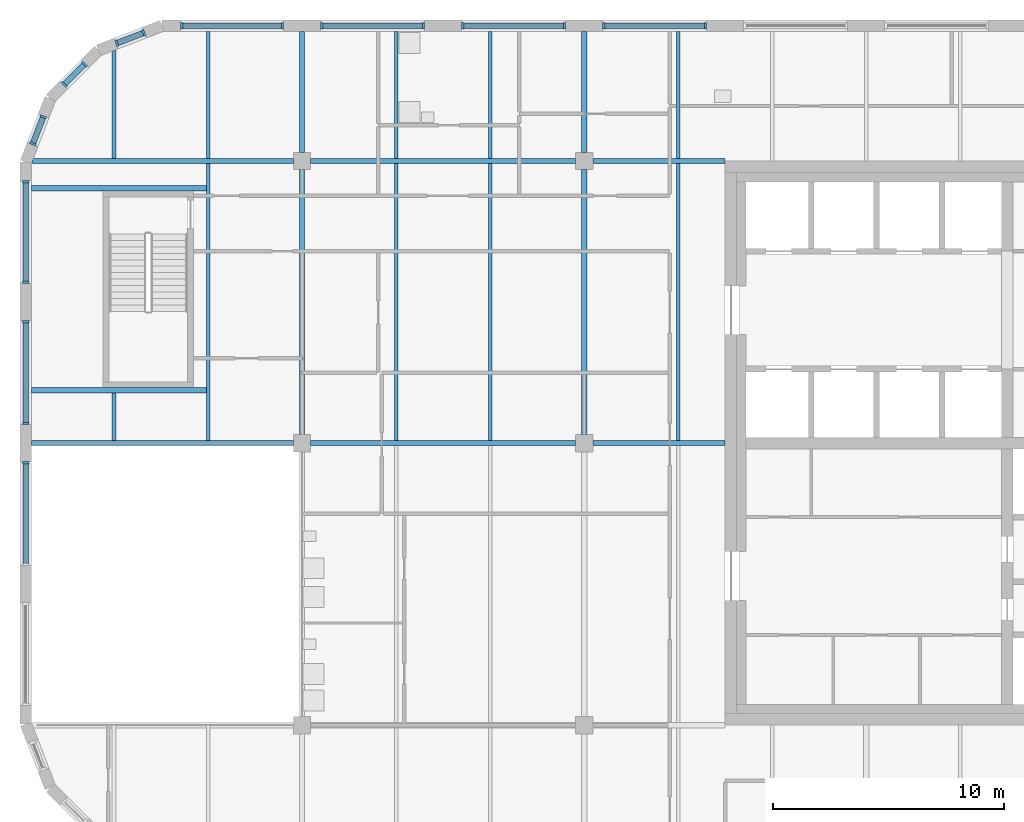
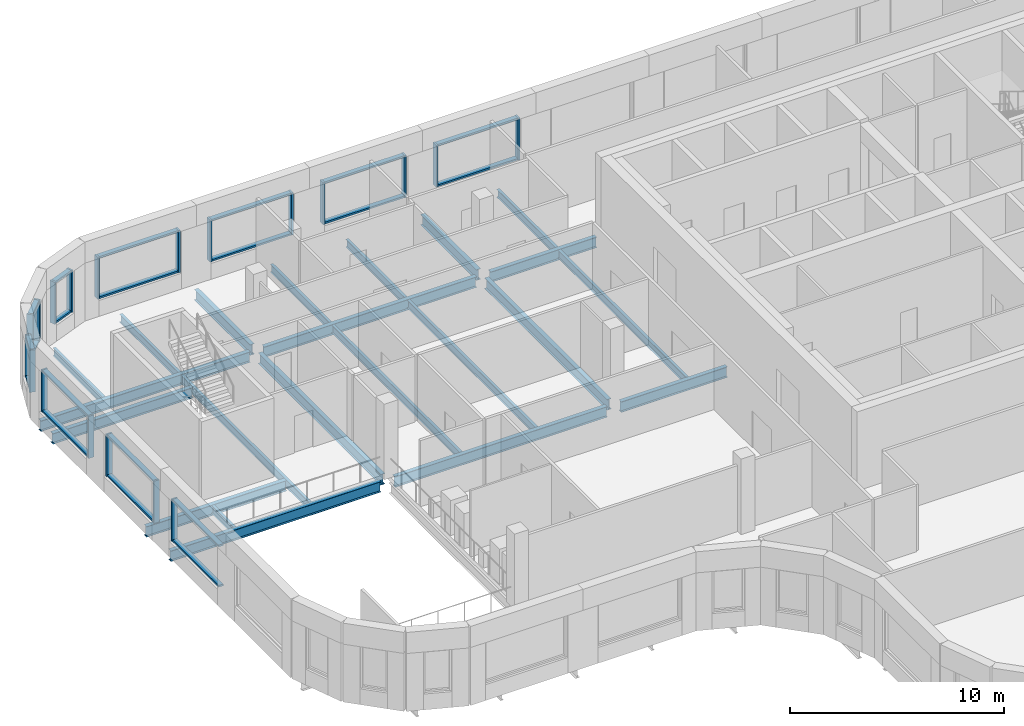
# One storey, part 4 of 21: 39 members, 22 beams, 10 elements without a shape of their own.
"""IFC4 building model written with IfcOpenShell, lengths in metres."""

from ifc_helpers import new_model, si_unit, direction, frame, origin, origin_2d, place, context, subcontext, project, spatial, rectangle, i_section, extrude, material, material_profile, profile_set, type_object, element, aggregate, save


model = new_model("IFC4")

# Units and contexts
model_context = context("Model", 3, precision=1e-05, world=origin(), true_north=direction((0.0, 1.0)))
body_context = subcontext(model_context, "Body", "Model", "MODEL_VIEW")
ifc_project = project(units=[si_unit("LENGTHUNIT", "METRE"), si_unit("AREAUNIT", "SQUARE_METRE"), si_unit("VOLUMEUNIT", "CUBIC_METRE"), si_unit("PLANEANGLEUNIT", "RADIAN"), si_unit("MASSUNIT", "GRAM", prefix="KILO")], contexts=[model_context])

# Site, building, storey
site_placement = place(None, origin())
site = spatial("IfcSite", under=ifc_project, at=site_placement, CompositionType="ELEMENT")
building_placement = place(site_placement, origin())
building = spatial("IfcBuilding", under=site, at=building_placement, Name="Tessera Gate Towers", CompositionType="ELEMENT")
storey_placement = place(building_placement, frame((0.0, 0.0, 193.39990234375)))
storey = spatial("IfcBuildingStorey", under=building, at=storey_placement, Name="L48", CompositionType="ELEMENT", Elevation=193.39990234375)

# Beams
ifc_material_1 = material(Name="Steel 350W", Category="steel")
ifc_material_profile_1 = material_profile(ifc_material_1, i_section(OverallWidth=0.22802734375, OverallDepth=0.60302734375, WebThickness=0.010498046875, FlangeThickness=0.014892578125, at=origin_2d()), Name="W610x101")
ifc_profile_set_1 = profile_set([ifc_material_profile_1], Name="Steel 350W")
beam_type_1 = type_object("IfcBeamType", Name="FLOOR GIRDER W610x101", PredefinedType="BEAM", material=ifc_profile_set_1)
beam_1_placement = place(storey_placement, frame((0.4990234375, 36.60009765625, -0.551513671875), z_axis=(1.0, 0.0, 0.0), x_axis=(0.0, 1.0, 0.0)))
element("IfcBeam", 1, at=beam_1_placement, inside=storey, type_object=beam_type_1, Name="T1-GD-L48-5115", PredefinedType="BEAM", context=body_context, shape_type="SweptSolid", body=[
    extrude(i_section(OverallWidth=0.22802734375, OverallDepth=0.60302734375, WebThickness=0.010498046875, FlangeThickness=0.014892578125, at=origin_2d()), origin(), (0.0, 0.0, 1.0), 11.325927734375),
])
beam_2_placement = place(storey_placement, frame((12.574951171875, 36.60009765625, -0.551513671875), z_axis=(1.0, 0.0, 0.0), x_axis=(0.0, 1.0, 0.0)))
element("IfcBeam", 2, at=beam_2_placement, inside=storey, type_object=beam_type_1, Name="T1-GD-L48-5116", PredefinedType="BEAM", context=body_context, shape_type="SweptSolid", body=[
    extrude(i_section(OverallWidth=0.22802734375, OverallDepth=0.60302734375, WebThickness=0.010498046875, FlangeThickness=0.014892578125, at=origin_2d()), origin(), (0.0, 0.0, 1.0), 11.449951171875),
])
beam_3_placement = place(storey_placement, frame((24.77490234375, 36.60009765625, -0.551513671875), z_axis=(1.0, 0.0, 0.0), x_axis=(0.0, 1.0, 0.0)))
element("IfcBeam", 3, at=beam_3_placement, inside=storey, type_object=beam_type_1, Name="T1-GD-L48-5117", PredefinedType="BEAM", context=body_context, shape_type="SweptSolid", body=[
    extrude(i_section(OverallWidth=0.22802734375, OverallDepth=0.60302734375, WebThickness=0.010498046875, FlangeThickness=0.014892578125, at=origin_2d()), origin(), (0.0, 0.0, 1.0), 5.72607421875),
])
beam_4_placement = place(storey_placement, frame((0.534912109375, 48.800048828125, -0.551513671875), z_axis=(1.0, 0.0, 0.0), x_axis=(0.0, 1.0, 0.0)))
element("IfcBeam", 4, at=beam_4_placement, inside=storey, type_object=beam_type_1, Name="T1-GD-L48-5119", PredefinedType="BEAM", context=body_context, shape_type="SweptSolid", body=[
    extrude(i_section(OverallWidth=0.22802734375, OverallDepth=0.60302734375, WebThickness=0.010498046875, FlangeThickness=0.014892578125, at=origin_2d()), origin(), (0.0, 0.0, 1.0), 11.2900390625),
])
beam_5_placement = place(storey_placement, frame((12.574951171875, 48.800048828125, -0.551513671875), z_axis=(1.0, 0.0, 0.0), x_axis=(0.0, 1.0, 0.0)))
element("IfcBeam", 5, at=beam_5_placement, inside=storey, type_object=beam_type_1, Name="T1-GD-L48-5120", PredefinedType="BEAM", context=body_context, shape_type="SweptSolid", body=[
    extrude(i_section(OverallWidth=0.22802734375, OverallDepth=0.60302734375, WebThickness=0.010498046875, FlangeThickness=0.014892578125, at=origin_2d()), origin(), (0.0, 0.0, 1.0), 11.449951171875),
])
beam_6_placement = place(storey_placement, frame((24.77490234375, 48.800048828125, -0.551513671875), z_axis=(1.0, 0.0, 0.0), x_axis=(0.0, 1.0, 0.0)))
element("IfcBeam", 6, at=beam_6_placement, inside=storey, type_object=beam_type_1, Name="T1-GD-L48-5121", PredefinedType="BEAM", context=body_context, shape_type="SweptSolid", body=[
    extrude(i_section(OverallWidth=0.22802734375, OverallDepth=0.60302734375, WebThickness=0.010498046875, FlangeThickness=0.014892578125, at=origin_2d()), origin(), (0.0, 0.0, 1.0), 5.72412109375),
])
beam_7_placement = place(storey_placement, frame((12.199951171875, 36.97509765625, -0.551513671875), z_axis=(0.0, 1.0, 0.0), x_axis=(-1.0, 0.0, 0.0)))
element("IfcBeam", 7, at=beam_7_placement, inside=storey, type_object=beam_type_1, Name="T1-GD-L48-5125", PredefinedType="BEAM", context=body_context, shape_type="SweptSolid", body=[
    extrude(i_section(OverallWidth=0.22802734375, OverallDepth=0.60302734375, WebThickness=0.010498046875, FlangeThickness=0.014892578125, at=origin_2d()), origin(), (0.0, 0.0, 1.0), 11.449951171875),
])
beam_8_placement = place(storey_placement, frame((12.199951171875, 49.175048828125, -0.551513671875), z_axis=(0.0, 1.0, 0.0), x_axis=(-1.0, 0.0, 0.0)))
element("IfcBeam", 8, at=beam_8_placement, inside=storey, type_object=beam_type_1, Name="T1-GD-L48-5126", PredefinedType="BEAM", context=body_context, shape_type="SweptSolid", body=[
    extrude(i_section(OverallWidth=0.22802734375, OverallDepth=0.60302734375, WebThickness=0.010498046875, FlangeThickness=0.014892578125, at=origin_2d()), origin(), (0.0, 0.0, 1.0), 5.225830078125),
])
beam_9_placement = place(storey_placement, frame((24.39990234375, 36.97509765625, -0.551513671875), z_axis=(0.0, 1.0, 0.0), x_axis=(-1.0, 0.0, 0.0)))
element("IfcBeam", 9, at=beam_9_placement, inside=storey, type_object=beam_type_1, Name="T1-GD-L48-5129", PredefinedType="BEAM", context=body_context, shape_type="SweptSolid", body=[
    extrude(i_section(OverallWidth=0.22802734375, OverallDepth=0.60302734375, WebThickness=0.010498046875, FlangeThickness=0.014892578125, at=origin_2d()), origin(), (0.0, 0.0, 1.0), 11.449951171875),
])
beam_10_placement = place(storey_placement, frame((24.39990234375, 49.175048828125, -0.551513671875), z_axis=(0.0, 1.0, 0.0), x_axis=(-1.0, 0.0, 0.0)))
element("IfcBeam", 10, at=beam_10_placement, inside=storey, type_object=beam_type_1, Name="T1-GD-L48-5130", PredefinedType="BEAM", context=body_context, shape_type="SweptSolid", body=[
    extrude(i_section(OverallWidth=0.22802734375, OverallDepth=0.60302734375, WebThickness=0.010498046875, FlangeThickness=0.014892578125, at=origin_2d()), origin(), (0.0, 0.0, 1.0), 5.225830078125),
])
for number, where, z_axis, x_axis, name in (
    (11, (0.4990234375, 38.8798828125, -0.551513671875), (1.0, 0.0, 0.0), (0.0, 1.0, 0.0), "T1-GD-L48-5135"),
    (12, (0.4990234375, 47.6201171875, -0.551513671875), (1.0, 0.0, 0.0), (0.0, 1.0, 0.0), "T1-GD-L48-5136"),
):
    element("IfcBeam", number, at=place(storey_placement, frame(where, z_axis=z_axis, x_axis=x_axis)), inside=storey, type_object=beam_type_1, Name=name, PredefinedType="BEAM", context=body_context, shape_type="SweptSolid", body=[
        extrude(i_section(OverallWidth=0.22802734375, OverallDepth=0.60302734375, WebThickness=0.010498046875, FlangeThickness=0.014892578125, at=origin_2d()), origin(), (0.0, 0.0, 1.0), 7.557861328125),
    ])
ifc_material_2 = material(Name="Steel 350W", Category="steel")
ifc_material_profile_2 = material_profile(ifc_material_2, i_section(OverallWidth=0.153076171875, OverallDepth=0.455078125, WebThickness=0.008056640625, FlangeThickness=0.01318359375, at=origin_2d()), Name="W460x60")
ifc_profile_set_2 = profile_set([ifc_material_profile_2], Name="Steel 350W")
beam_type_2 = type_object("IfcBeamType", Name="FLOOR SECONDARY W460x60", PredefinedType="BEAM", material=ifc_profile_set_2)
beam_11_placement = place(storey_placement, frame((4.066650390625, 36.714111328125, -0.477294921875), z_axis=(0.0, 1.0, 0.0), x_axis=(-1.0, 0.0, 0.0)))
element("IfcBeam", 13, at=beam_11_placement, inside=storey, type_object=beam_type_2, Name="T1-BM-L48-5143", PredefinedType="BEAM", context=body_context, shape_type="SweptSolid", body=[
    extrude(i_section(OverallWidth=0.153076171875, OverallDepth=0.455078125, WebThickness=0.008056640625, FlangeThickness=0.01318359375, at=origin_2d()), origin(), (0.0, 0.0, 1.0), 2.052001953125),
])
beam_12_placement = place(storey_placement, frame((4.066650390625, 48.9140625, -0.477294921875), z_axis=(0.0, 1.0, 0.0), x_axis=(-1.0, 0.0, 0.0)))
element("IfcBeam", 14, at=beam_12_placement, inside=storey, type_object=beam_type_2, Name="T1-BM-L48-5144", PredefinedType="BEAM", context=body_context, shape_type="SweptSolid", body=[
    extrude(i_section(OverallWidth=0.153076171875, OverallDepth=0.455078125, WebThickness=0.008056640625, FlangeThickness=0.01318359375, at=origin_2d()), origin(), (0.0, 0.0, 1.0), 4.66552734375),
])
beam_13_placement = place(storey_placement, frame((8.13330078125, 36.714111328125, -0.477294921875), z_axis=(0.0, 1.0, 0.0), x_axis=(-1.0, 0.0, 0.0)))
element("IfcBeam", 15, at=beam_13_placement, inside=storey, type_object=beam_type_2, Name="T1-BM-L48-5146", PredefinedType="BEAM", context=body_context, shape_type="SweptSolid", body=[
    extrude(i_section(OverallWidth=0.153076171875, OverallDepth=0.455078125, WebThickness=0.008056640625, FlangeThickness=0.01318359375, at=origin_2d()), origin(), (0.0, 0.0, 1.0), 11.971923828125),
])
beam_14_placement = place(storey_placement, frame((8.13330078125, 48.9140625, -0.477294921875), z_axis=(0.0, 1.0, 0.0), x_axis=(-1.0, 0.0, 0.0)))
element("IfcBeam", 16, at=beam_14_placement, inside=storey, type_object=beam_type_2, Name="T1-BM-L48-5147", PredefinedType="BEAM", context=body_context, shape_type="SweptSolid", body=[
    extrude(i_section(OverallWidth=0.153076171875, OverallDepth=0.455078125, WebThickness=0.008056640625, FlangeThickness=0.01318359375, at=origin_2d()), origin(), (0.0, 0.0, 1.0), 5.48583984375),
])
beam_15_placement = place(storey_placement, frame((16.2666015625, 36.714111328125, -0.477294921875), z_axis=(0.0, 1.0, 0.0), x_axis=(-1.0, 0.0, 0.0)))
element("IfcBeam", 17, at=beam_15_placement, inside=storey, type_object=beam_type_2, Name="T1-BM-L48-5150", PredefinedType="BEAM", context=body_context, shape_type="SweptSolid", body=[
    extrude(i_section(OverallWidth=0.153076171875, OverallDepth=0.455078125, WebThickness=0.008056640625, FlangeThickness=0.01318359375, at=origin_2d()), origin(), (0.0, 0.0, 1.0), 11.971923828125),
])
beam_16_placement = place(storey_placement, frame((16.2666015625, 48.9140625, -0.477294921875), z_axis=(0.0, 1.0, 0.0), x_axis=(-1.0, 0.0, 0.0)))
element("IfcBeam", 18, at=beam_16_placement, inside=storey, type_object=beam_type_2, Name="T1-BM-L48-5151", PredefinedType="BEAM", context=body_context, shape_type="SweptSolid", body=[
    extrude(i_section(OverallWidth=0.153076171875, OverallDepth=0.455078125, WebThickness=0.008056640625, FlangeThickness=0.01318359375, at=origin_2d()), origin(), (0.0, 0.0, 1.0), 5.48583984375),
])
beam_17_placement = place(storey_placement, frame((20.333251953125, 36.714111328125, -0.477294921875), z_axis=(0.0, 1.0, 0.0), x_axis=(-1.0, 0.0, 0.0)))
element("IfcBeam", 19, at=beam_17_placement, inside=storey, type_object=beam_type_2, Name="T1-BM-L48-5154", PredefinedType="BEAM", context=body_context, shape_type="SweptSolid", body=[
    extrude(i_section(OverallWidth=0.153076171875, OverallDepth=0.455078125, WebThickness=0.008056640625, FlangeThickness=0.01318359375, at=origin_2d()), origin(), (0.0, 0.0, 1.0), 11.971923828125),
])
beam_18_placement = place(storey_placement, frame((20.333251953125, 48.9140625, -0.477294921875), z_axis=(0.0, 1.0, 0.0), x_axis=(-1.0, 0.0, 0.0)))
element("IfcBeam", 20, at=beam_18_placement, inside=storey, type_object=beam_type_2, Name="T1-BM-L48-5155", PredefinedType="BEAM", context=body_context, shape_type="SweptSolid", body=[
    extrude(i_section(OverallWidth=0.153076171875, OverallDepth=0.455078125, WebThickness=0.008056640625, FlangeThickness=0.01318359375, at=origin_2d()), origin(), (0.0, 0.0, 1.0), 5.48583984375),
])
beam_19_placement = place(storey_placement, frame((28.466796875, 36.714111328125, -0.477294921875), z_axis=(0.0, 1.0, 0.0), x_axis=(-1.0, 0.0, 0.0)))
element("IfcBeam", 21, at=beam_19_placement, inside=storey, type_object=beam_type_2, Name="T1-BM-L48-5159", PredefinedType="BEAM", context=body_context, shape_type="SweptSolid", body=[
    extrude(i_section(OverallWidth=0.153076171875, OverallDepth=0.455078125, WebThickness=0.008056640625, FlangeThickness=0.01318359375, at=origin_2d()), origin(), (0.0, 0.0, 1.0), 11.971923828125),
])
beam_20_placement = place(storey_placement, frame((28.466796875, 48.9140625, -0.477294921875), z_axis=(0.0, 1.0, 0.0), x_axis=(-1.0, 0.0, 0.0)))
element("IfcBeam", 22, at=beam_20_placement, inside=storey, type_object=beam_type_2, Name="T1-BM-L48-5160", PredefinedType="BEAM", context=body_context, shape_type="SweptSolid", body=[
    extrude(i_section(OverallWidth=0.153076171875, OverallDepth=0.455078125, WebThickness=0.008056640625, FlangeThickness=0.01318359375, at=origin_2d()), origin(), (0.0, 0.0, 1.0), 5.48583984375),
])

# Curtain wall, members
ifc_material_3 = material(Name="Aluminium frame", Category="aluminium")
curtain_wall_type = type_object("IfcCurtainWallType", Name="CW-S3 amenity floor glazing", PredefinedType="NOTDEFINED", material=ifc_material_3)
curtain_wall_1_placement = place(storey_placement, origin())
curtain_wall_1 = element("IfcCurtainWall", 23, at=curtain_wall_1_placement, inside=storey, type_object=curtain_wall_type, Name="Curtain wall amenity floor glazing 0066", PredefinedType="NOTDEFINED")
ifc_material_4 = material(Name="Aluminium frame", Category="aluminium")
ifc_material_profile_3 = material_profile(ifc_material_4, rectangle(XDim=0.10009765625, YDim=0.300048828125, at=origin_2d()), Name="AL 100x300")
ifc_profile_set_3 = profile_set([ifc_material_profile_3], Name="Aluminium frame")
member_type_1 = type_object("IfcMemberType", Name="MU-S3 mullion 100x300", PredefinedType="MULLION", material=ifc_profile_set_3)
member_1_placement = place(storey_placement, frame((29.64990234375, 54.64990234375, 0.900146484375), z_axis=(0.0, 0.0, 1.0), x_axis=(-1.0, 0.0, 0.0)))
member_1 = element("IfcMember", 24, at=member_1_placement, type_object=member_type_1, Name="T1-CW3-0066 mullion 1", PredefinedType="MULLION", context=body_context, shape_type="SweptSolid", body=[
    extrude(rectangle(XDim=0.10009765625, YDim=0.300048828125, at=origin_2d()), origin(), (0.0, 0.0, 1.0), 2.39990234375),
])
member_2_placement = place(storey_placement, frame((25.25, 54.64990234375, 0.900146484375), z_axis=(0.0, 0.0, 1.0), x_axis=(-1.0, 0.0, 0.0)))
member_2 = element("IfcMember", 25, at=member_2_placement, type_object=member_type_1, Name="T1-CW3-0066 mullion 2", PredefinedType="MULLION", context=body_context, shape_type="SweptSolid", body=[
    extrude(rectangle(XDim=0.10009765625, YDim=0.300048828125, at=origin_2d()), origin(), (0.0, 0.0, 1.0), 2.39990234375),
])

curtain_wall_2_placement = place(storey_placement, origin())
curtain_wall_2 = element("IfcCurtainWall", 26, at=curtain_wall_2_placement, inside=storey, type_object=curtain_wall_type, Name="Curtain wall amenity floor glazing 0067", PredefinedType="NOTDEFINED")
member_3_placement = place(storey_placement, frame((23.550048828125, 54.64990234375, 0.900146484375), z_axis=(0.0, 0.0, 1.0), x_axis=(-1.0, 0.0, 0.0)))
member_3 = element("IfcMember", 27, at=member_3_placement, type_object=member_type_1, Name="T1-CW3-0067 mullion 1", PredefinedType="MULLION", context=body_context, shape_type="SweptSolid", body=[
    extrude(rectangle(XDim=0.10009765625, YDim=0.300048828125, at=origin_2d()), origin(), (0.0, 0.0, 1.0), 2.39990234375),
])
member_4_placement = place(storey_placement, frame((19.14990234375, 54.64990234375, 0.900146484375), z_axis=(0.0, 0.0, 1.0), x_axis=(-1.0, 0.0, 0.0)))
member_4 = element("IfcMember", 28, at=member_4_placement, type_object=member_type_1, Name="T1-CW3-0067 mullion 2", PredefinedType="MULLION", context=body_context, shape_type="SweptSolid", body=[
    extrude(rectangle(XDim=0.10009765625, YDim=0.300048828125, at=origin_2d()), origin(), (0.0, 0.0, 1.0), 2.39990234375),
])

curtain_wall_3_placement = place(storey_placement, origin())
curtain_wall_3 = element("IfcCurtainWall", 29, at=curtain_wall_3_placement, inside=storey, type_object=curtain_wall_type, Name="Curtain wall amenity floor glazing 0068", PredefinedType="NOTDEFINED")
member_5_placement = place(storey_placement, frame((17.449951171875, 54.64990234375, 0.900146484375), z_axis=(0.0, 0.0, 1.0), x_axis=(-1.0, 0.0, 0.0)))
member_5 = element("IfcMember", 30, at=member_5_placement, type_object=member_type_1, Name="T1-CW3-0068 mullion 1", PredefinedType="MULLION", context=body_context, shape_type="SweptSolid", body=[
    extrude(rectangle(XDim=0.10009765625, YDim=0.300048828125, at=origin_2d()), origin(), (0.0, 0.0, 1.0), 2.39990234375),
])
member_6_placement = place(storey_placement, frame((13.050048828125, 54.64990234375, 0.900146484375), z_axis=(0.0, 0.0, 1.0), x_axis=(-1.0, 0.0, 0.0)))
member_6 = element("IfcMember", 31, at=member_6_placement, type_object=member_type_1, Name="T1-CW3-0068 mullion 2", PredefinedType="MULLION", context=body_context, shape_type="SweptSolid", body=[
    extrude(rectangle(XDim=0.10009765625, YDim=0.300048828125, at=origin_2d()), origin(), (0.0, 0.0, 1.0), 2.39990234375),
])

curtain_wall_4_placement = place(storey_placement, origin())
curtain_wall_4 = element("IfcCurtainWall", 32, at=curtain_wall_4_placement, inside=storey, type_object=curtain_wall_type, Name="Curtain wall amenity floor glazing 0069", PredefinedType="NOTDEFINED")
member_7_placement = place(storey_placement, frame((11.35009765625, 54.64990234375, 0.900146484375), z_axis=(0.0, 0.0, 1.0), x_axis=(-1.0, 0.0, 0.0)))
member_7 = element("IfcMember", 33, at=member_7_placement, type_object=member_type_1, Name="T1-CW3-0069 mullion 1", PredefinedType="MULLION", context=body_context, shape_type="SweptSolid", body=[
    extrude(rectangle(XDim=0.10009765625, YDim=0.300048828125, at=origin_2d()), origin(), (0.0, 0.0, 1.0), 2.39990234375),
])
member_8_placement = place(storey_placement, frame((6.99658203125, 54.64990234375, 0.900146484375), z_axis=(0.0, 0.0, 1.0), x_axis=(-1.0, 0.0, 0.0)))
member_8 = element("IfcMember", 34, at=member_8_placement, type_object=member_type_1, Name="T1-CW3-0069 mullion 2", PredefinedType="MULLION", context=body_context, shape_type="SweptSolid", body=[
    extrude(rectangle(XDim=0.10009765625, YDim=0.300048828125, at=origin_2d()), origin(), (0.0, 0.0, 1.0), 2.39990234375),
])

curtain_wall_5_placement = place(storey_placement, origin())
curtain_wall_5 = element("IfcCurtainWall", 35, at=curtain_wall_5_placement, inside=storey, type_object=curtain_wall_type, Name="Curtain wall amenity floor glazing 0070", PredefinedType="NOTDEFINED")
member_9_placement = place(storey_placement, frame((5.353515625, 54.343994140625, 0.900146484375), z_axis=(0.0, 0.0, 1.0), x_axis=(-0.932989314041, -0.359904070394, 0.0)))
member_9 = element("IfcMember", 36, at=member_9_placement, type_object=member_type_1, Name="T1-CW3-0070 mullion 1", PredefinedType="MULLION", context=body_context, shape_type="SweptSolid", body=[
    extrude(rectangle(XDim=0.10009765625, YDim=0.300048828125, at=origin_2d()), origin(), (0.0, 0.0, 1.0), 2.39990234375),
])
member_10_placement = place(storey_placement, frame((4.186767578125, 53.89404296875, 0.900146484375), z_axis=(0.0, 0.0, 1.0), x_axis=(-0.932989314041, -0.359904070394, 0.0)))
member_10 = element("IfcMember", 37, at=member_10_placement, type_object=member_type_1, Name="T1-CW3-0070 mullion 2", PredefinedType="MULLION", context=body_context, shape_type="SweptSolid", body=[
    extrude(rectangle(XDim=0.10009765625, YDim=0.300048828125, at=origin_2d()), origin(), (0.0, 0.0, 1.0), 2.39990234375),
])

curtain_wall_6_placement = place(storey_placement, origin())
curtain_wall_6 = element("IfcCurtainWall", 38, at=curtain_wall_6_placement, inside=storey, type_object=curtain_wall_type, Name="Curtain wall amenity floor glazing 0071", PredefinedType="NOTDEFINED")
member_11_placement = place(storey_placement, frame((2.792724609375, 52.987060546875, 0.900146484375), z_axis=(0.0, 0.0, 1.0), x_axis=(-0.707106781187, -0.707106781187, 0.0)))
member_11 = element("IfcMember", 39, at=member_11_placement, type_object=member_type_1, Name="T1-CW3-0071 mullion 1", PredefinedType="MULLION", context=body_context, shape_type="SweptSolid", body=[
    extrude(rectangle(XDim=0.10009765625, YDim=0.300048828125, at=origin_2d()), origin(), (0.0, 0.0, 1.0), 2.39990234375),
])
member_12_placement = place(storey_placement, frame((1.912841796875, 52.107421875, 0.900146484375), z_axis=(0.0, 0.0, 1.0), x_axis=(-0.707106781187, -0.707106781187, 0.0)))
member_12 = element("IfcMember", 40, at=member_12_placement, type_object=member_type_1, Name="T1-CW3-0071 mullion 2", PredefinedType="MULLION", context=body_context, shape_type="SweptSolid", body=[
    extrude(rectangle(XDim=0.10009765625, YDim=0.300048828125, at=origin_2d()), origin(), (0.0, 0.0, 1.0), 2.39990234375),
])

curtain_wall_7_placement = place(storey_placement, origin())
curtain_wall_7 = element("IfcCurtainWall", 41, at=curtain_wall_7_placement, inside=storey, type_object=curtain_wall_type, Name="Curtain wall amenity floor glazing 0072", PredefinedType="NOTDEFINED")
member_13_placement = place(storey_placement, frame((1.006103515625, 50.713134765625, 0.900146484375), z_axis=(0.0, 0.0, 1.0), x_axis=(-0.359904070394, -0.932989314041, 0.0)))
member_13 = element("IfcMember", 42, at=member_13_placement, type_object=member_type_1, Name="T1-CW3-0072 mullion 1", PredefinedType="MULLION", context=body_context, shape_type="SweptSolid", body=[
    extrude(rectangle(XDim=0.10009765625, YDim=0.300048828125, at=origin_2d()), origin(), (0.0, 0.0, 1.0), 2.39990234375),
])
member_14_placement = place(storey_placement, frame((0.555908203125, 49.54638671875, 0.900146484375), z_axis=(0.0, 0.0, 1.0), x_axis=(-0.359904070394, -0.932989314041, 0.0)))
member_14 = element("IfcMember", 43, at=member_14_placement, type_object=member_type_1, Name="T1-CW3-0072 mullion 2", PredefinedType="MULLION", context=body_context, shape_type="SweptSolid", body=[
    extrude(rectangle(XDim=0.10009765625, YDim=0.300048828125, at=origin_2d()), origin(), (0.0, 0.0, 1.0), 2.39990234375),
])

curtain_wall_8_placement = place(storey_placement, origin())
curtain_wall_8 = element("IfcCurtainWall", 44, at=curtain_wall_8_placement, inside=storey, type_object=curtain_wall_type, Name="Curtain wall amenity floor glazing 0073", PredefinedType="NOTDEFINED")
member_15_placement = place(storey_placement, frame((0.25, 47.903564453125, 0.900146484375), z_axis=(0.0, 0.0, 1.0), x_axis=(0.0, -1.0, 0.0)))
member_15 = element("IfcMember", 45, at=member_15_placement, type_object=member_type_1, Name="T1-CW3-0073 mullion 1", PredefinedType="MULLION", context=body_context, shape_type="SweptSolid", body=[
    extrude(rectangle(XDim=0.10009765625, YDim=0.300048828125, at=origin_2d()), origin(), (0.0, 0.0, 1.0), 2.39990234375),
])
member_16_placement = place(storey_placement, frame((0.25, 43.550048828125, 0.900146484375), z_axis=(0.0, 0.0, 1.0), x_axis=(0.0, -1.0, 0.0)))
member_16 = element("IfcMember", 46, at=member_16_placement, type_object=member_type_1, Name="T1-CW3-0073 mullion 2", PredefinedType="MULLION", context=body_context, shape_type="SweptSolid", body=[
    extrude(rectangle(XDim=0.10009765625, YDim=0.300048828125, at=origin_2d()), origin(), (0.0, 0.0, 1.0), 2.39990234375),
])

curtain_wall_9_placement = place(storey_placement, origin())
curtain_wall_9 = element("IfcCurtainWall", 47, at=curtain_wall_9_placement, inside=storey, type_object=curtain_wall_type, Name="Curtain wall amenity floor glazing 0074", PredefinedType="NOTDEFINED")
member_17_placement = place(storey_placement, frame((0.25, 41.85009765625, 0.900146484375), z_axis=(0.0, 0.0, 1.0), x_axis=(0.0, -1.0, 0.0)))
member_17 = element("IfcMember", 48, at=member_17_placement, type_object=member_type_1, Name="T1-CW3-0074 mullion 1", PredefinedType="MULLION", context=body_context, shape_type="SweptSolid", body=[
    extrude(rectangle(XDim=0.10009765625, YDim=0.300048828125, at=origin_2d()), origin(), (0.0, 0.0, 1.0), 2.39990234375),
])
member_18_placement = place(storey_placement, frame((0.25, 37.449951171875, 0.900146484375), z_axis=(0.0, 0.0, 1.0), x_axis=(0.0, -1.0, 0.0)))
member_18 = element("IfcMember", 49, at=member_18_placement, type_object=member_type_1, Name="T1-CW3-0074 mullion 2", PredefinedType="MULLION", context=body_context, shape_type="SweptSolid", body=[
    extrude(rectangle(XDim=0.10009765625, YDim=0.300048828125, at=origin_2d()), origin(), (0.0, 0.0, 1.0), 2.39990234375),
])

# Curtain wall, member
curtain_wall_10_placement = place(storey_placement, origin())
curtain_wall_10 = element("IfcCurtainWall", 50, at=curtain_wall_10_placement, inside=storey, type_object=curtain_wall_type, Name="Curtain wall amenity floor glazing 0075", PredefinedType="NOTDEFINED")
member_19_placement = place(storey_placement, frame((0.25, 35.75, 0.900146484375), z_axis=(0.0, 0.0, 1.0), x_axis=(0.0, -1.0, 0.0)))
member_19 = element("IfcMember", 51, at=member_19_placement, type_object=member_type_1, Name="T1-CW3-0075 mullion 1", PredefinedType="MULLION", context=body_context, shape_type="SweptSolid", body=[
    extrude(rectangle(XDim=0.10009765625, YDim=0.300048828125, at=origin_2d()), origin(), (0.0, 0.0, 1.0), 2.39990234375),
])

# Member
ifc_material_5 = material(Name="Aluminium frame", Category="aluminium")
ifc_material_profile_4 = material_profile(ifc_material_5, rectangle(XDim=0.25, YDim=0.10009765625, at=origin_2d()), Name="AL 100x250")
ifc_profile_set_4 = profile_set([ifc_material_profile_4], Name="Aluminium frame")
member_type_2 = type_object("IfcMemberType", Name="TR-S3 transom 100x250", PredefinedType="USERDEFINED", material=ifc_profile_set_4)
member_20_placement = place(storey_placement, frame((29.60009765625, 54.64990234375, 0.9501953125), z_axis=(-1.0, 0.0, 0.0), x_axis=(0.0, -1.0, 0.0)))
member_20 = element("IfcMember", 52, at=member_20_placement, type_object=member_type_2, Name="T1-CW3-0066 transom 1.1", ObjectType="TRANSOM", PredefinedType="USERDEFINED", context=body_context, shape_type="SweptSolid", body=[
    extrude(rectangle(XDim=0.25, YDim=0.10009765625, at=origin_2d()), origin(), (0.0, 0.0, 1.0), 4.300048828125),
])

member_21_placement = place(storey_placement, frame((29.60009765625, 54.64990234375, 3.25), z_axis=(-1.0, 0.0, 0.0), x_axis=(0.0, -1.0, 0.0)))
member_21 = element("IfcMember", 53, at=member_21_placement, type_object=member_type_2, Name="T1-CW3-0066 transom 1.2", ObjectType="TRANSOM", PredefinedType="USERDEFINED", context=body_context, shape_type="SweptSolid", body=[
    extrude(rectangle(XDim=0.25, YDim=0.10009765625, at=origin_2d()), origin(), (0.0, 0.0, 1.0), 4.300048828125),
])

aggregate(curtain_wall_1, [member_1, member_2, member_20, member_21])

member_22_placement = place(storey_placement, frame((23.5, 54.64990234375, 0.9501953125), z_axis=(-1.0, 0.0, 0.0), x_axis=(0.0, -1.0, 0.0)))
member_22 = element("IfcMember", 54, at=member_22_placement, type_object=member_type_2, Name="T1-CW3-0067 transom 1.1", ObjectType="TRANSOM", PredefinedType="USERDEFINED", context=body_context, shape_type="SweptSolid", body=[
    extrude(rectangle(XDim=0.25, YDim=0.10009765625, at=origin_2d()), origin(), (0.0, 0.0, 1.0), 4.300048828125),
])

member_23_placement = place(storey_placement, frame((23.5, 54.64990234375, 3.25), z_axis=(-1.0, 0.0, 0.0), x_axis=(0.0, -1.0, 0.0)))
member_23 = element("IfcMember", 55, at=member_23_placement, type_object=member_type_2, Name="T1-CW3-0067 transom 1.2", ObjectType="TRANSOM", PredefinedType="USERDEFINED", context=body_context, shape_type="SweptSolid", body=[
    extrude(rectangle(XDim=0.25, YDim=0.10009765625, at=origin_2d()), origin(), (0.0, 0.0, 1.0), 4.300048828125),
])

aggregate(curtain_wall_2, [member_3, member_4, member_22, member_23])

member_24_placement = place(storey_placement, frame((17.39990234375, 54.64990234375, 0.9501953125), z_axis=(-1.0, 0.0, 0.0), x_axis=(0.0, -1.0, 0.0)))
member_24 = element("IfcMember", 56, at=member_24_placement, type_object=member_type_2, Name="T1-CW3-0068 transom 1.1", ObjectType="TRANSOM", PredefinedType="USERDEFINED", context=body_context, shape_type="SweptSolid", body=[
    extrude(rectangle(XDim=0.25, YDim=0.10009765625, at=origin_2d()), origin(), (0.0, 0.0, 1.0), 4.2998046875),
])

member_25_placement = place(storey_placement, frame((17.39990234375, 54.64990234375, 3.25), z_axis=(-1.0, 0.0, 0.0), x_axis=(0.0, -1.0, 0.0)))
member_25 = element("IfcMember", 57, at=member_25_placement, type_object=member_type_2, Name="T1-CW3-0068 transom 1.2", ObjectType="TRANSOM", PredefinedType="USERDEFINED", context=body_context, shape_type="SweptSolid", body=[
    extrude(rectangle(XDim=0.25, YDim=0.10009765625, at=origin_2d()), origin(), (0.0, 0.0, 1.0), 4.2998046875),
])

aggregate(curtain_wall_3, [member_5, member_6, member_24, member_25])

member_26_placement = place(storey_placement, frame((11.300048828125, 54.64990234375, 0.9501953125), z_axis=(-1.0, 0.0, 0.0), x_axis=(0.0, -1.0, 0.0)))
member_26 = element("IfcMember", 58, at=member_26_placement, type_object=member_type_2, Name="T1-CW3-0069 transom 1.1", ObjectType="TRANSOM", PredefinedType="USERDEFINED", context=body_context, shape_type="SweptSolid", body=[
    extrude(rectangle(XDim=0.25, YDim=0.10009765625, at=origin_2d()), origin(), (0.0, 0.0, 1.0), 4.25341796875),
])

member_27_placement = place(storey_placement, frame((11.300048828125, 54.64990234375, 3.25), z_axis=(-1.0, 0.0, 0.0), x_axis=(0.0, -1.0, 0.0)))
member_27 = element("IfcMember", 59, at=member_27_placement, type_object=member_type_2, Name="T1-CW3-0069 transom 1.2", ObjectType="TRANSOM", PredefinedType="USERDEFINED", context=body_context, shape_type="SweptSolid", body=[
    extrude(rectangle(XDim=0.25, YDim=0.10009765625, at=origin_2d()), origin(), (0.0, 0.0, 1.0), 4.25341796875),
])

aggregate(curtain_wall_4, [member_7, member_8, member_26, member_27])

member_28_placement = place(storey_placement, frame((5.306884765625, 54.326171875, 0.9501953125), z_axis=(-0.933000640571, -0.359874706938, 0.0), x_axis=(0.359874706938, -0.933000640571, 0.0)))
member_28 = element("IfcMember", 60, at=member_28_placement, type_object=member_type_2, Name="T1-CW3-0070 transom 1.1", ObjectType="TRANSOM", PredefinedType="USERDEFINED", context=body_context, shape_type="SweptSolid", body=[
    extrude(rectangle(XDim=0.25, YDim=0.10009765625, at=origin_2d()), origin(), (0.0, 0.0, 1.0), 1.150634765625),
])

member_29_placement = place(storey_placement, frame((5.306884765625, 54.326171875, 3.25), z_axis=(-0.933000640571, -0.359874706938, 0.0), x_axis=(0.359874706938, -0.933000640571, 0.0)))
member_29 = element("IfcMember", 61, at=member_29_placement, type_object=member_type_2, Name="T1-CW3-0070 transom 1.2", ObjectType="TRANSOM", PredefinedType="USERDEFINED", context=body_context, shape_type="SweptSolid", body=[
    extrude(rectangle(XDim=0.25, YDim=0.10009765625, at=origin_2d()), origin(), (0.0, 0.0, 1.0), 1.150634765625),
])

aggregate(curtain_wall_5, [member_9, member_10, member_28, member_29])

member_30_placement = place(storey_placement, frame((2.75732421875, 52.95166015625, 0.9501953125), z_axis=(-0.707106781187, -0.707106781187, 0.0), x_axis=(0.707106781187, -0.707106781187, 0.0)))
member_30 = element("IfcMember", 62, at=member_30_placement, type_object=member_type_2, Name="T1-CW3-0071 transom 1.1", ObjectType="TRANSOM", PredefinedType="USERDEFINED", context=body_context, shape_type="SweptSolid", body=[
    extrude(rectangle(XDim=0.25, YDim=0.10009765625, at=origin_2d()), origin(), (0.0, 0.0, 1.0), 1.144287109375),
])

member_31_placement = place(storey_placement, frame((2.75732421875, 52.95166015625, 3.25), z_axis=(-0.707106781187, -0.707106781187, 0.0), x_axis=(0.707106781187, -0.707106781187, 0.0)))
member_31 = element("IfcMember", 63, at=member_31_placement, type_object=member_type_2, Name="T1-CW3-0071 transom 1.2", ObjectType="TRANSOM", PredefinedType="USERDEFINED", context=body_context, shape_type="SweptSolid", body=[
    extrude(rectangle(XDim=0.25, YDim=0.10009765625, at=origin_2d()), origin(), (0.0, 0.0, 1.0), 1.144287109375),
])

aggregate(curtain_wall_6, [member_11, member_12, member_30, member_31])

member_32_placement = place(storey_placement, frame((0.988037109375, 50.66650390625, 0.9501953125), z_axis=(-0.35994596571, -0.932973151687, 0.0), x_axis=(0.932973151687, -0.35994596571, 0.0)))
member_32 = element("IfcMember", 64, at=member_32_placement, type_object=member_type_2, Name="T1-CW3-0072 transom 1.1", ObjectType="TRANSOM", PredefinedType="USERDEFINED", context=body_context, shape_type="SweptSolid", body=[
    extrude(rectangle(XDim=0.25, YDim=0.10009765625, at=origin_2d()), origin(), (0.0, 0.0, 1.0), 1.150390625),
])

member_33_placement = place(storey_placement, frame((0.988037109375, 50.66650390625, 3.25), z_axis=(-0.35994596571, -0.932973151687, 0.0), x_axis=(0.932973151687, -0.35994596571, 0.0)))
member_33 = element("IfcMember", 65, at=member_33_placement, type_object=member_type_2, Name="T1-CW3-0072 transom 1.2", ObjectType="TRANSOM", PredefinedType="USERDEFINED", context=body_context, shape_type="SweptSolid", body=[
    extrude(rectangle(XDim=0.25, YDim=0.10009765625, at=origin_2d()), origin(), (0.0, 0.0, 1.0), 1.150390625),
])

aggregate(curtain_wall_7, [member_13, member_14, member_32, member_33])

member_34_placement = place(storey_placement, frame((0.25, 47.853515625, 0.9501953125), z_axis=(0.0, -1.0, 0.0), x_axis=(1.0, 0.0, 0.0)))
member_34 = element("IfcMember", 66, at=member_34_placement, type_object=member_type_2, Name="T1-CW3-0073 transom 1.1", ObjectType="TRANSOM", PredefinedType="USERDEFINED", context=body_context, shape_type="SweptSolid", body=[
    extrude(rectangle(XDim=0.25, YDim=0.10009765625, at=origin_2d()), origin(), (0.0, 0.0, 1.0), 4.25341796875),
])

member_35_placement = place(storey_placement, frame((0.25, 47.853515625, 3.25), z_axis=(0.0, -1.0, 0.0), x_axis=(1.0, 0.0, 0.0)))
member_35 = element("IfcMember", 67, at=member_35_placement, type_object=member_type_2, Name="T1-CW3-0073 transom 1.2", ObjectType="TRANSOM", PredefinedType="USERDEFINED", context=body_context, shape_type="SweptSolid", body=[
    extrude(rectangle(XDim=0.25, YDim=0.10009765625, at=origin_2d()), origin(), (0.0, 0.0, 1.0), 4.25341796875),
])

aggregate(curtain_wall_8, [member_15, member_16, member_34, member_35])

member_36_placement = place(storey_placement, frame((0.25, 41.800048828125, 0.9501953125), z_axis=(0.0, -1.0, 0.0), x_axis=(1.0, 0.0, 0.0)))
member_36 = element("IfcMember", 68, at=member_36_placement, type_object=member_type_2, Name="T1-CW3-0074 transom 1.1", ObjectType="TRANSOM", PredefinedType="USERDEFINED", context=body_context, shape_type="SweptSolid", body=[
    extrude(rectangle(XDim=0.25, YDim=0.10009765625, at=origin_2d()), origin(), (0.0, 0.0, 1.0), 4.300048828125),
])

member_37_placement = place(storey_placement, frame((0.25, 41.800048828125, 3.25), z_axis=(0.0, -1.0, 0.0), x_axis=(1.0, 0.0, 0.0)))
member_37 = element("IfcMember", 69, at=member_37_placement, type_object=member_type_2, Name="T1-CW3-0074 transom 1.2", ObjectType="TRANSOM", PredefinedType="USERDEFINED", context=body_context, shape_type="SweptSolid", body=[
    extrude(rectangle(XDim=0.25, YDim=0.10009765625, at=origin_2d()), origin(), (0.0, 0.0, 1.0), 4.300048828125),
])

aggregate(curtain_wall_9, [member_17, member_18, member_36, member_37])

member_38_placement = place(storey_placement, frame((0.25, 35.699951171875, 0.9501953125), z_axis=(0.0, -1.0, 0.0), x_axis=(1.0, 0.0, 0.0)))
member_38 = element("IfcMember", 70, at=member_38_placement, type_object=member_type_2, Name="T1-CW3-0075 transom 1.1", ObjectType="TRANSOM", PredefinedType="USERDEFINED", context=body_context, shape_type="SweptSolid", body=[
    extrude(rectangle(XDim=0.25, YDim=0.10009765625, at=origin_2d()), origin(), (0.0, 0.0, 1.0), 4.300048828125),
])

member_39_placement = place(storey_placement, frame((0.25, 35.699951171875, 3.25), z_axis=(0.0, -1.0, 0.0), x_axis=(1.0, 0.0, 0.0)))
member_39 = element("IfcMember", 71, at=member_39_placement, type_object=member_type_2, Name="T1-CW3-0075 transom 1.2", ObjectType="TRANSOM", PredefinedType="USERDEFINED", context=body_context, shape_type="SweptSolid", body=[
    extrude(rectangle(XDim=0.25, YDim=0.10009765625, at=origin_2d()), origin(), (0.0, 0.0, 1.0), 4.300048828125),
])

aggregate(curtain_wall_10, [member_19, member_38, member_39])

save(model, "model.ifc")
